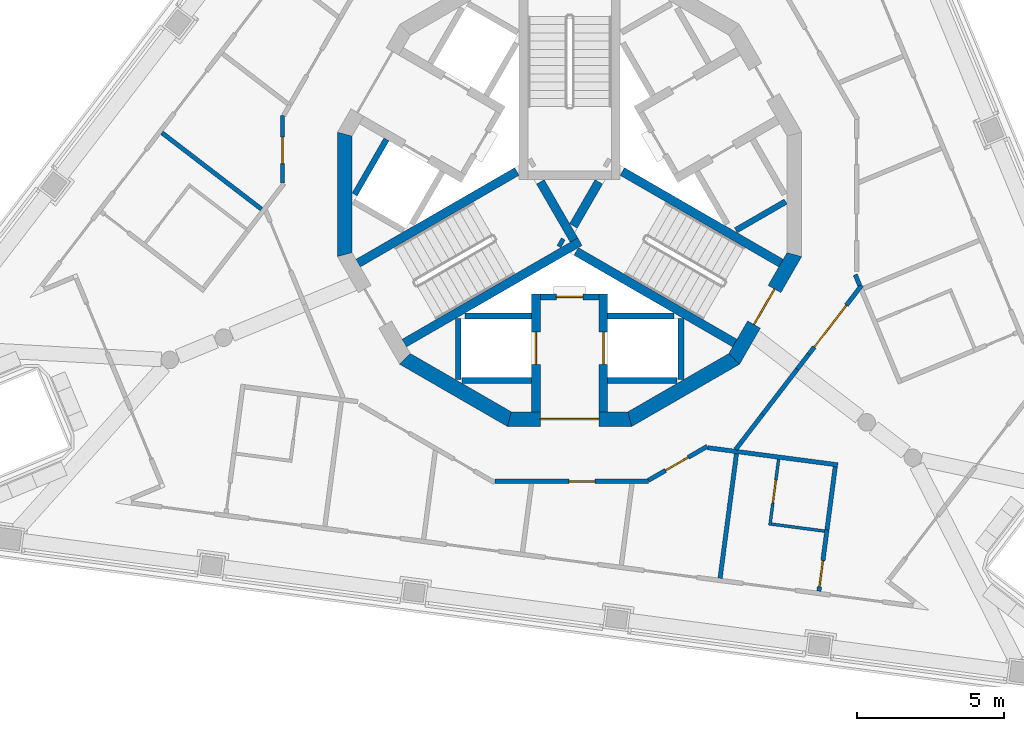
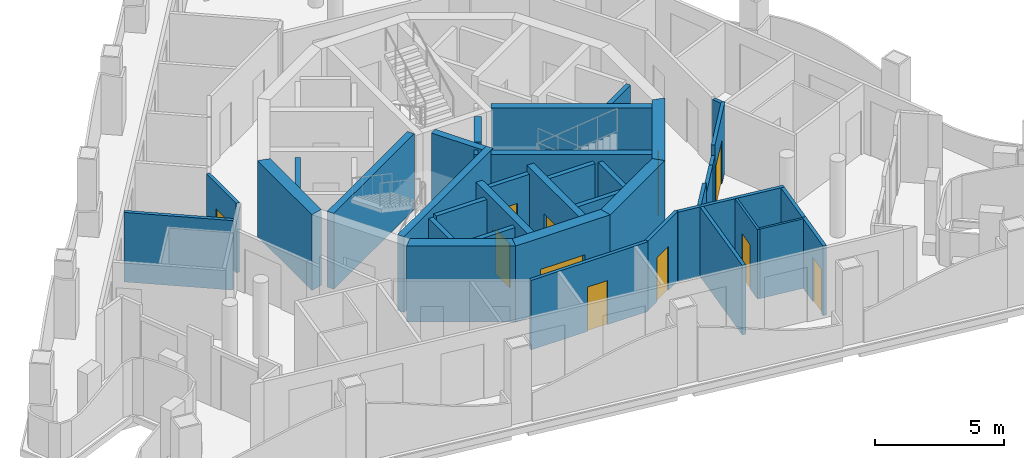
# One storey, part 3 of 12: 38 walls, 11 doors, 11 openings.
"""IFC4 building model written with IfcOpenShell, lengths in metres."""

import ifcopenshell
import ifcopenshell.guid

model = None  # the IFC model being written
_history = None  # IfcOwnerHistory: only IFC2X3 demands one
_inside = {}  # id of a spatial element -> (the spatial element, [elements in it])
_under = {}  # id of a project, library or spatial element -> (it, [spatial elements below it])
_declared = {}  # id of a project -> (the project, [libraries it declares])
_typed = {}  # id of a type object -> (the type object, [elements of that type])
_made_of = {}  # id of a material, layer set ... -> (it, [elements and type objects made of it])


def new_model(schema):
    """Start an empty IFC model of exactly this schema.

    Asked for "IFC4X3", IfcOpenShell would pick the latest addendum, in which some entities
    have other attributes; the version numbers below select the first issue.
    IFC2X3 requires an IfcOwnerHistory on every rooted entity: one is made here for all.
    """
    global model, _history
    if schema == "IFC4X3":
        model = ifcopenshell.file(schema_version=(4, 3, 0, 0))
    else:
        model = ifcopenshell.file(schema=schema)
    _inside.clear()
    _under.clear()
    _declared.clear()
    _typed.clear()
    _made_of.clear()
    _history = None
    if model.schema == "IFC2X3":
        org = make("IfcOrganization", Name="unknown")
        user = make(
            "IfcPersonAndOrganization",
            ThePerson=make("IfcPerson", FamilyName="unknown"),
            TheOrganization=org,
        )
        app = make(
            "IfcApplication",
            ApplicationDeveloper=org,
            Version="unknown",
            ApplicationFullName="unknown",
            ApplicationIdentifier="unknown",
        )
        _history = make(
            "IfcOwnerHistory",
            OwningUser=user,
            OwningApplication=app,
            ChangeAction="ADDED",
            CreationDate=0,
        )
    return model


def make(cls, **values):
    """One entity of the class cls with the attributes given. An attribute that is None is left unset."""
    return model.create_entity(
        cls, **{name: value for name, value in values.items() if value is not None}
    )


def rooted(cls, **values):
    """An entity with a GlobalId (a new one), such as an element, a storey or a relation."""
    return make(cls, GlobalId=ifcopenshell.guid.new(), OwnerHistory=_history, **values)


def si_unit(unit_type, name, prefix=None):
    """IfcSIUnit, for example si_unit("LENGTHUNIT", "METRE", prefix="MILLI")."""
    return make("IfcSIUnit", UnitType=unit_type, Prefix=prefix, Name=name)


def assignment(units):
    """IfcUnitAssignment: the units of a project."""
    return None if units is None else make("IfcUnitAssignment", Units=units)


def point(xyz):
    """IfcCartesianPoint."""
    return None if xyz is None else make("IfcCartesianPoint", Coordinates=xyz)


def direction(xyz):
    """IfcDirection."""
    return None if xyz is None else make("IfcDirection", DirectionRatios=xyz)


def frame(location, z_axis=None, x_axis=None):
    """IfcAxis2Placement3D, a coordinate frame: its origin and axes. An axis left out is left unset."""
    return make(
        "IfcAxis2Placement3D",
        Location=point(location),
        Axis=direction(z_axis),
        RefDirection=direction(x_axis),
    )


def frame_2d(location, x_axis=None):
    """IfcAxis2Placement2D, a coordinate frame in the plane: its origin and x axis."""
    return make(
        "IfcAxis2Placement2D", Location=point(location), RefDirection=direction(x_axis)
    )


def origin():
    """The frame at (0, 0, 0) with its axes left unset."""
    return frame((0.0, 0.0, 0.0))


def place(relative_to, where):
    """IfcLocalPlacement: puts the frame where relative to a parent placement (None: the world)."""
    return make(
        "IfcLocalPlacement", PlacementRelTo=relative_to, RelativePlacement=where
    )


def context(
    kind, dimensions, precision=None, world=None, true_north=None, identifier=None
):
    """IfcGeometricRepresentationContext, for example the 3D "Model" context."""
    return make(
        "IfcGeometricRepresentationContext",
        ContextIdentifier=identifier,
        ContextType=kind,
        CoordinateSpaceDimension=dimensions,
        Precision=precision,
        WorldCoordinateSystem=world,
        TrueNorth=true_north,
    )


def subcontext(parent, identifier, kind, view, scale=None):
    """IfcGeometricRepresentationSubContext, for example "Body" below "Model"."""
    return make(
        "IfcGeometricRepresentationSubContext",
        ContextIdentifier=identifier,
        ContextType=kind,
        ParentContext=parent,
        TargetScale=scale,
        TargetView=view,
    )


def project(units=None, contexts=None):
    """IfcProject with its units and contexts."""
    return rooted(
        "IfcProject",
        Name="project",
        RepresentationContexts=contexts,
        UnitsInContext=assignment(units),
    )


def spatial(cls, under=None, at=None, **own):
    """A site, building, storey or space (cls), placed at a placement, below another one or the project."""
    s = rooted(cls, ObjectPlacement=at, **own)
    if under is not None:
        _under.setdefault(under.id(), (under, []))[1].append(s)
    return s


def polyline(points):
    """IfcPolyline through the points."""
    return make("IfcPolyline", Points=[point(p) for p in points])


def profile(cls, at=None, kind="AREA", **sizes):
    """A parametric profile (cls). Its sizes go by their IFC names, for example OverallWidth=200.0."""
    return make(cls, ProfileType=kind, Position=at, **sizes)


def rectangle(**sizes):
    """IfcRectangleProfileDef."""
    return profile("IfcRectangleProfileDef", **sizes)


def outline(outer, holes=None, kind="AREA"):
    """IfcArbitraryClosedProfileDef: a profile drawn as a closed curve; with holes, ...WithVoids."""
    if holes is None:
        return make("IfcArbitraryClosedProfileDef", ProfileType=kind, OuterCurve=outer)
    return make(
        "IfcArbitraryProfileDefWithVoids",
        ProfileType=kind,
        OuterCurve=outer,
        InnerCurves=holes,
    )


def extrude(swept, where, along, depth):
    """IfcExtrudedAreaSolid: the profile swept, set in the frame where, extruded along a direction by depth."""
    return make(
        "IfcExtrudedAreaSolid",
        SweptArea=swept,
        Position=where,
        ExtrudedDirection=direction(along),
        Depth=depth,
    )


def shape(context_of_items, identifier, shape_type, items):
    """IfcShapeRepresentation: the items that make up one representation, for example the "Body"."""
    return make(
        "IfcShapeRepresentation",
        ContextOfItems=context_of_items,
        RepresentationIdentifier=identifier,
        RepresentationType=shape_type,
        Items=items,
    )


def material(Name=None, Category=None):
    """IfcMaterial."""
    return make("IfcMaterial", Name=Name, Category=Category)


def layer(
    of_material, thickness, ventilated=None, Name=None, Category=None, Priority=None
):
    """IfcMaterialLayer: one layer of a wall or slab, of a material (None: an air gap)."""
    return make(
        "IfcMaterialLayer",
        Material=of_material,
        LayerThickness=thickness,
        IsVentilated=ventilated,
        Name=Name,
        Category=Category,
        Priority=Priority,
    )


def layer_set(layers, Name=None):
    """IfcMaterialLayerSet."""
    return make("IfcMaterialLayerSet", MaterialLayers=layers, LayerSetName=Name)


def made_of(thing, what):
    """Note that an element or type object is made of a material, layer set ...; save() writes the relation."""
    if what is not None:
        _made_of.setdefault(what.id(), (what, []))[1].append(thing)
    return thing


def type_object(cls, material=None, **own):
    """A type object (cls), such as IfcWallType, which elements share."""
    return made_of(rooted(cls, **own), material)


def element(
    cls,
    number,
    at=None,
    inside=None,
    cuts=None,
    type_object=None,
    material=None,
    context=None,
    identifier="Body",
    shape_type=None,
    held_by="IfcProductDefinitionShape",
    body=None,
    shapes=None,
    **own,
):
    """One element of the class cls, such as IfcWall. Its Tag is "e" and its number.

    at: its placement. inside: the storey or other place that contains it. cuts: it is an
    opening in that element (IfcRelVoidsElement). A single representation is given by context,
    identifier, shape_type and body (its items); several are given by shapes. held_by: the class
    of the entity that holds the representations. save() writes the other relations.
    """
    e = rooted(cls, Tag="e%d" % number, ObjectPlacement=at, **own)
    if body is not None:
        shapes = [shape(context, identifier, shape_type, body)]
    if shapes is not None:
        e.Representation = make(held_by, Representations=shapes)
    if inside is not None:
        _inside.setdefault(inside.id(), (inside, []))[1].append(e)
    if cuts is not None:
        rooted(
            "IfcRelVoidsElement", RelatingBuildingElement=cuts, RelatedOpeningElement=e
        )
    if type_object is not None:
        _typed.setdefault(type_object.id(), (type_object, []))[1].append(e)
    return made_of(e, material)


def fill(opening, filler):
    """IfcRelFillsElement: the door or window that sits in an opening."""
    return rooted(
        "IfcRelFillsElement",
        RelatingOpeningElement=opening,
        RelatedBuildingElement=filler,
    )


def aggregate(whole, parts):
    """IfcRelAggregates: a whole, such as a stair, and the parts it consists of."""
    return rooted("IfcRelAggregates", RelatingObject=whole, RelatedObjects=parts)


def save(model, path):
    """Write the relations noted so far, then the file.

    IfcRelAggregates (storeys below a building ...), IfcRelContainedInSpatialStructure (elements
    in a storey), IfcRelDefinesByType, IfcRelAssociatesMaterial and IfcRelDeclares: one each for
    every whole, place, type object, material and project.
    """
    for whole, parts in _under.values():
        aggregate(whole, parts)
    for where, things in _inside.values():
        rooted(
            "IfcRelContainedInSpatialStructure",
            RelatedElements=things,
            RelatingStructure=where,
        )
    for kind, things in _typed.values():
        rooted("IfcRelDefinesByType", RelatedObjects=things, RelatingType=kind)
    for what, things in _made_of.values():
        rooted("IfcRelAssociatesMaterial", RelatedObjects=things, RelatingMaterial=what)
    for by, libraries in _declared.values():
        rooted("IfcRelDeclares", RelatingContext=by, RelatedDefinitions=libraries)
    model.write(path)


model = new_model("IFC4")

# Units and contexts
model_context = context("Model", 3, precision=1e-05, world=origin(), true_north=direction((0.0, 1.0)))
body_context = subcontext(model_context, "Body", "Model", "MODEL_VIEW")
ifc_project = project(units=[si_unit("LENGTHUNIT", "METRE"), si_unit("AREAUNIT", "SQUARE_METRE"), si_unit("VOLUMEUNIT", "CUBIC_METRE"), si_unit("PLANEANGLEUNIT", "RADIAN"), si_unit("MASSUNIT", "GRAM", prefix="KILO")], contexts=[model_context])

# Site, building, storey
site_placement = place(None, origin())
site = spatial("IfcSite", under=ifc_project, at=site_placement, CompositionType="ELEMENT")
building_placement = place(site_placement, origin())
building = spatial("IfcBuilding", under=site, at=building_placement, Name="Trine Commons Tower", CompositionType="ELEMENT")
storey_placement = place(building_placement, frame((0.0, 0.0, 275.39990234375)))
storey = spatial("IfcBuildingStorey", under=building, at=storey_placement, Name="L72", CompositionType="ELEMENT", Elevation=275.39990234375)

# Wall, opening, door
ifc_material_1 = material(Name="Fire-rated gypsum shaft wall system")
ifc_layer_1 = layer(ifc_material_1, 0.199951171875)
ifc_layer_set_1 = layer_set([ifc_layer_1], Name="Fire-rated gypsum shaft wall system")
wall_type_1 = type_object("IfcWallType", Name="Lobby end wall 200 mm, EI 120", PredefinedType="PARTITIONING", material=ifc_layer_set_1)
wall_1_placement = place(storey_placement, frame((79.0, 59.0, 0.0), z_axis=(0.0, 0.0, 1.0), x_axis=(1.0, 0.0, 0.0)))
wall_1 = element("IfcWall", 1, at=wall_1_placement, inside=storey, type_object=wall_type_1, Name="Lobby end wall L72", PredefinedType="PARTITIONING", context=body_context, shape_type="SweptSolid", body=[
    extrude(rectangle(XDim=2.0, YDim=0.199951171875, at=frame_2d((1.0, 0.0))), origin(), (0.0, 0.0, 1.0), 3.300048828125),
])
opening_1_placement = place(wall_1_placement, frame((0.550048828125, 0.0, 0.0)))
opening_1 = element("IfcOpeningElement", 2, at=opening_1_placement, cuts=wall_1, Name="Opening K18.09", PredefinedType="OPENING", context=body_context, shape_type="SweptSolid", body=[
    extrude(rectangle(XDim=0.89990234375, YDim=2.10009765625, at=frame_2d((0.449951171875, 1.050048828125))), frame((0.0, 0.10986328125, 0.0), z_axis=(0.0, -1.0, 0.0), x_axis=(1.0, 0.0, 0.0)), (0.0, 0.0, 1.0), 0.219970703125),
])
ifc_material_2 = material(Name="Steel door leaf, fire-rated", Category="steel")
door_type_1 = type_object("IfcDoorType", Name="Riser access door, single leaf 900 x 2100, FD60", OperationType="SINGLE_SWING_LEFT", PredefinedType="DOOR", material=ifc_material_2)
door_1_placement = place(opening_1_placement, frame((0.89990234375, 0.0, 0.0), z_axis=(0.0, 0.0, 1.0), x_axis=(-1.0, 0.0, 0.0)))
door_1 = element("IfcDoor", 3, at=door_1_placement, inside=storey, type_object=door_type_1, Name="Riser door, Communications riser L72", OperationType="SINGLE_SWING_RIGHT", OverallHeight=2.10009765625, OverallWidth=0.89990234375, PredefinedType="DOOR", context=body_context, shape_type="SweptSolid", body=[
    extrude(rectangle(XDim=0.89990234375, YDim=2.10009765625, at=frame_2d((0.449951171875, 1.050048828125))), frame((0.0, 0.02490234375, 0.0), z_axis=(0.0, -1.0, 0.0), x_axis=(1.0, 0.0, 0.0)), (0.0, 0.0, 1.0), 0.050048828125),
])
fill(opening_1, door_1)

ifc_material_3 = material(Name="Concrete C50/60", Category="concrete")
ifc_layer_2 = layer(ifc_material_3, 0.300048828125)
ifc_layer_set_2 = layer_set([ifc_layer_2], Name="Concrete C50/60")
wall_type_2 = type_object("IfcWallType", Name="RC shear wall 300 mm, C50/60", PredefinedType="SHEAR", material=ifc_layer_set_2)
wall_2_placement = place(storey_placement, frame((78.85009765625, 59.10009765625, 0.0), z_axis=(0.0, 0.0, 1.0), x_axis=(0.0, -1.0, 0.0)))
wall_2 = element("IfcWall", 4, at=wall_2_placement, inside=storey, type_object=wall_type_2, Name="Core cross wall SWD-03 L72", PredefinedType="SHEAR", context=body_context, shape_type="SweptSolid", body=[
    extrude(rectangle(XDim=4.02099609375, YDim=0.300048828125, at=frame_2d((2.010498046875, 0.0))), origin(), (0.0, 0.0, 1.0), 3.60009765625),
])
opening_2_placement = place(wall_2_placement, frame((1.300048828125, 0.0, 0.0)))
opening_2 = element("IfcOpeningElement", 5, at=opening_2_placement, cuts=wall_2, Name="Opening LD10", PredefinedType="OPENING", context=body_context, shape_type="SweptSolid", body=[
    extrude(rectangle(XDim=1.10009765625, YDim=2.10009765625, at=frame_2d((0.550048828125, 1.050048828125))), frame((0.0, 0.159912109375, 0.0), z_axis=(0.0, -1.0, 0.0), x_axis=(1.0, 0.0, 0.0)), (0.0, 0.0, 1.0), 0.320068359375),
])
ifc_material_4 = material(Name="Stainless steel sliding door leaves", Category="steel")
door_type_2 = type_object("IfcDoorType", Name="Lift landing door, centre-opening sliding 1100 x 2100, FD90", OperationType="DOUBLE_DOOR_SLIDING", PredefinedType="DOOR", material=ifc_material_4)
door_2_placement = place(opening_2_placement, origin())
door_2 = element("IfcDoor", 6, at=door_2_placement, inside=storey, type_object=door_type_2, Name="Lift landing door FF2 L72", OperationType="DOUBLE_DOOR_SLIDING", OverallHeight=2.10009765625, OverallWidth=1.10009765625, PredefinedType="DOOR", context=body_context, shape_type="SweptSolid", body=[
    extrude(rectangle(XDim=1.10009765625, YDim=2.10009765625, at=frame_2d((0.550048828125, 1.050048828125))), frame((0.0, 0.02490234375, 0.0), z_axis=(0.0, -1.0, 0.0), x_axis=(1.0, 0.0, 0.0)), (0.0, 0.0, 1.0), 0.050048828125),
])
fill(opening_2, door_2)

wall_3_placement = place(storey_placement, frame((81.14990234375, 59.10009765625, 0.0), z_axis=(0.0, 0.0, 1.0), x_axis=(0.0, -1.0, 0.0)))
wall_3 = element("IfcWall", 7, at=wall_3_placement, inside=storey, type_object=wall_type_2, Name="Core cross wall SWD-04 L72", PredefinedType="SHEAR", context=body_context, shape_type="SweptSolid", body=[
    extrude(rectangle(XDim=4.02099609375, YDim=0.300048828125, at=frame_2d((2.010498046875, 0.0))), origin(), (0.0, 0.0, 1.0), 3.60009765625),
])
opening_3_placement = place(wall_3_placement, frame((1.300048828125, 0.0, 0.0)))
opening_3 = element("IfcOpeningElement", 8, at=opening_3_placement, cuts=wall_3, Name="Opening LD9", PredefinedType="OPENING", context=body_context, shape_type="SweptSolid", body=[
    extrude(rectangle(XDim=1.10009765625, YDim=2.10009765625, at=frame_2d((0.550048828125, 1.050048828125))), frame((0.0, 0.159912109375, 0.0), z_axis=(0.0, -1.0, 0.0), x_axis=(1.0, 0.0, 0.0)), (0.0, 0.0, 1.0), 0.320068359375),
])
door_3_placement = place(opening_3_placement, origin())
door_3 = element("IfcDoor", 9, at=door_3_placement, inside=storey, type_object=door_type_2, Name="Lift landing door FF1 L72", OperationType="DOUBLE_DOOR_SLIDING", OverallHeight=2.10009765625, OverallWidth=1.10009765625, PredefinedType="DOOR", context=body_context, shape_type="SweptSolid", body=[
    extrude(rectangle(XDim=1.10009765625, YDim=2.10009765625, at=frame_2d((0.550048828125, 1.050048828125))), frame((0.0, 0.02490234375, 0.0), z_axis=(0.0, -1.0, 0.0), x_axis=(1.0, 0.0, 0.0)), (0.0, 0.0, 1.0), 0.050048828125),
])
fill(opening_3, door_3)

# Walls
wall_4_placement = place(storey_placement, frame((78.199951171875, 63.280029296875, 0.0), z_axis=(0.0, 0.0, 1.0), x_axis=(-0.866013897511, -0.50001992892, 0.0)))
element("IfcWall", 10, at=wall_4_placement, inside=storey, type_object=wall_type_2, Name="Core cross wall SWD-07 L72", PredefinedType="SHEAR", context=body_context, shape_type="SweptSolid", body=[
    extrude(rectangle(XDim=6.251708984375, YDim=0.300048828125, at=frame_2d((3.1259765625, 0.0))), origin(), (0.0, 0.0, 1.0), 3.60009765625),
])
wall_5_placement = place(storey_placement, frame((79.0029296875, 62.926025390625, 0.0), z_axis=(0.0, 0.0, 1.0), x_axis=(0.499965247104, -0.866045467449, 0.0)))
element("IfcWall", 11, at=wall_5_placement, inside=storey, type_object=wall_type_2, Name="Core cross wall SWD-10 L72", PredefinedType="SHEAR", context=body_context, shape_type="SweptSolid", body=[
    extrude(rectangle(XDim=2.292236328125, YDim=0.300048828125, at=frame_2d((1.14599609375, 0.0))), origin(), (0.0, 0.0, 1.0), 3.60009765625),
])
wall_6_placement = place(storey_placement, frame((79.64599609375, 60.885986328125, 0.0), z_axis=(0.0, 0.0, 1.0), x_axis=(0.867331893649, -0.497730234424, 0.0)))
element("IfcWall", 12, at=wall_6_placement, inside=storey, type_object=wall_type_2, Name="Core cross wall SWD-11 L72", PredefinedType="SHEAR", context=body_context, shape_type="SweptSolid", body=[
    extrude(rectangle(XDim=0.148681640625, YDim=0.300048828125, at=frame_2d((0.07421875, 0.0))), origin(), (0.0, 0.0, 1.0), 3.60009765625),
])
wall_7_placement = place(storey_placement, frame((80.1298828125, 61.424072265625, 0.0), z_axis=(0.0, 0.0, 1.0), x_axis=(0.500014901547, 0.866016800201, 0.0)))
element("IfcWall", 13, at=wall_7_placement, inside=storey, type_object=wall_type_2, Name="Core cross wall SWD-12 L72", PredefinedType="SHEAR", context=body_context, shape_type="SweptSolid", body=[
    extrude(rectangle(XDim=1.734375, YDim=0.300048828125, at=frame_2d((0.8671875, 0.0))), origin(), (0.0, 0.0, 1.0), 3.60009765625),
])
wall_8_placement = place(storey_placement, frame((80.22509765625, 60.552001953125, 0.0), z_axis=(0.0, 0.0, 1.0), x_axis=(0.866004133274, -0.500036839795, 0.0)))
element("IfcWall", 14, at=wall_8_placement, inside=storey, type_object=wall_type_2, Name="Core cross wall SWD-13 L72", PredefinedType="SHEAR", context=body_context, shape_type="SweptSolid", body=[
    extrude(rectangle(XDim=6.25146484375, YDim=0.300048828125, at=frame_2d((3.125732421875, 0.0))), origin(), (0.0, 0.0, 1.0), 3.60009765625),
])
wall_9_placement = place(storey_placement, frame((80.35400390625, 60.885986328125, 0.0), z_axis=(0.0, 0.0, 1.0), x_axis=(-0.86602871973, -0.49999425657, 0.0)))
element("IfcWall", 15, at=wall_9_placement, inside=storey, type_object=wall_type_2, Name="Core cross wall SWD-14 L72", PredefinedType="SHEAR", context=body_context, shape_type="SweptSolid", body=[
    extrude(rectangle(XDim=6.919921875, YDim=0.300048828125, at=frame_2d((3.4599609375, 0.0))), origin(), (0.0, 0.0, 1.0), 3.60009765625),
])
wall_10_placement = place(storey_placement, frame((81.800048828125, 63.280029296875, 0.0), z_axis=(0.0, 0.0, 1.0), x_axis=(0.866013897511, -0.50001992892, 0.0)))
element("IfcWall", 16, at=wall_10_placement, inside=storey, type_object=wall_type_2, Name="Core cross wall SWD-18 L72", PredefinedType="SHEAR", context=body_context, shape_type="SweptSolid", body=[
    extrude(rectangle(XDim=6.251708984375, YDim=0.300048828125, at=frame_2d((3.1259765625, 0.0))), origin(), (0.0, 0.0, 1.0), 3.60009765625),
])
ifc_layer_3 = layer(ifc_material_3, 0.5)
ifc_layer_set_3 = layer_set([ifc_layer_3], Name="Concrete C50/60")
wall_type_3 = type_object("IfcWallType", Name="RC shear wall 500 mm, C50/60", PredefinedType="SHEAR", material=ifc_layer_set_3)
for number, where, z_axis, x_axis, name in (
    (17, (72.329345703125, 64.622314453125, 0.0), (0.0, 0.0, 1.0), (0.0, -1.0, 0.0), "Core wall CWH-07 L72"),
    (18, (74.32666015625, 56.918212890625, 0.0), (0.0, 0.0, 1.0), (0.866029463428, -0.499992968425, 0.0), "Core wall CWH-09 L72"),
):
    element("IfcWall", number, at=place(storey_placement, frame(where, z_axis=z_axis, x_axis=x_axis)), inside=storey, type_object=wall_type_3, Name=name, PredefinedType="SHEAR", context=body_context, shape_type="SweptSolid", body=[
        extrude(outline(polyline([(0.0, -0.25), (4.24462890625, -0.25), (4.110595703125, 0.25), (0.134033203125, 0.25), (0.0, -0.25)])), origin(), (0.0, 0.0, 1.0), 3.60009765625),
    ])

# Wall, opening, door
wall_11_placement = place(storey_placement, frame((77.877685546875, 54.829345703125, 0.0), z_axis=(0.0, 0.0, 1.0), x_axis=(1.0, 0.0, 0.0)))
wall_11 = element("IfcWall", 19, at=wall_11_placement, inside=storey, type_object=wall_type_3, Name="Core wall CWH-10 L72", PredefinedType="SHEAR", context=body_context, shape_type="SweptSolid", body=[
    extrude(outline(polyline([(0.0, -0.25), (4.24462890625, -0.25), (4.110595703125, 0.25), (0.134033203125, 0.25), (0.0, -0.25)])), origin(), (0.0, 0.0, 1.0), 3.60009765625),
])
opening_4_placement = place(wall_11_placement, frame((1.122314453125, 0.0, 0.0)))
opening_4 = element("IfcOpeningElement", 20, at=opening_4_placement, cuts=wall_11, Name="Opening K18.08", PredefinedType="OPENING", context=body_context, shape_type="SweptSolid", body=[
    extrude(rectangle(XDim=2.0, YDim=2.10009765625, at=frame_2d((1.0, 1.050048828125))), frame((0.0, 0.260009765625, 0.0), z_axis=(0.0, -1.0, 0.0), x_axis=(1.0, 0.0, 0.0)), (0.0, 0.0, 1.0), 0.52001953125),
])
ifc_material_5 = material(Name="Steel door leaves, fire-rated", Category="steel")
door_type_3 = type_object("IfcDoorType", Name="Lobby door, double leaf 2000 x 2100, FD60", OperationType="DOUBLE_DOOR_SINGLE_SWING", PredefinedType="DOOR", material=ifc_material_5)
door_4_placement = place(opening_4_placement, origin())
door_4 = element("IfcDoor", 21, at=door_4_placement, inside=storey, type_object=door_type_3, Name="Lobby door, Service and firefighting lobby L72", OperationType="DOUBLE_DOOR_SINGLE_SWING", OverallHeight=2.10009765625, OverallWidth=2.0, PredefinedType="DOOR", context=body_context, shape_type="SweptSolid", body=[
    extrude(rectangle(XDim=2.0, YDim=2.10009765625, at=frame_2d((1.0, 1.050048828125))), frame((0.0, 0.02490234375, 0.0), z_axis=(0.0, -1.0, 0.0), x_axis=(1.0, 0.0, 0.0)), (0.0, 0.0, 1.0), 0.050048828125),
])
fill(opening_4, door_4)

# Wall
wall_12_placement = place(storey_placement, frame((81.997314453125, 54.7958984375, 0.0), z_axis=(0.0, 0.0, 1.0), x_axis=(0.866029463428, 0.499992968425, 0.0)))
element("IfcWall", 22, at=wall_12_placement, inside=storey, type_object=wall_type_3, Name="Core wall CWH-11 L72", PredefinedType="SHEAR", context=body_context, shape_type="SweptSolid", body=[
    extrude(outline(polyline([(0.0, -0.25), (4.24462890625, -0.25), (4.110595703125, 0.25), (0.134033203125, 0.25), (0.0, -0.25)])), origin(), (0.0, 0.0, 1.0), 3.60009765625),
])

# Wall, opening, door
wall_13_placement = place(storey_placement, frame((85.581787109375, 56.82666015625, 0.0), z_axis=(0.0, 0.0, 1.0), x_axis=(0.499992968425, 0.866029463428, 0.0)))
wall_13 = element("IfcWall", 23, at=wall_13_placement, inside=storey, type_object=wall_type_3, Name="Core wall CWH-12 L72", PredefinedType="SHEAR", context=body_context, shape_type="SweptSolid", body=[
    extrude(outline(polyline([(0.0, -0.25), (4.24462890625, -0.25), (4.110595703125, 0.25), (0.134033203125, 0.25), (0.0, -0.25)])), origin(), (0.0, 0.0, 1.0), 3.60009765625),
])
opening_5_placement = place(wall_13_placement, frame((1.42236328125, 0.0, 0.0)))
opening_5 = element("IfcOpeningElement", 24, at=opening_5_placement, cuts=wall_13, Name="Opening K18.03", PredefinedType="OPENING", context=body_context, shape_type="SweptSolid", body=[
    extrude(rectangle(XDim=1.39990234375, YDim=2.10009765625, at=frame_2d((0.699951171875, 1.050048828125))), frame((0.0, 0.260009765625, 0.0), z_axis=(0.0, -1.0, 0.0), x_axis=(1.0, 0.0, 0.0)), (0.0, 0.0, 1.0), 0.52001953125),
])
door_type_4 = type_object("IfcDoorType", Name="Stair door, double leaf 1400 x 2100, FD90", OperationType="DOUBLE_DOOR_SINGLE_SWING", PredefinedType="DOOR", material=ifc_material_5)
door_5_placement = place(opening_5_placement, origin())
door_5 = element("IfcDoor", 25, at=door_5_placement, inside=storey, type_object=door_type_4, Name="Stair door to Exit stair ST3D L72", OperationType="DOUBLE_DOOR_SINGLE_SWING", OverallHeight=2.10009765625, OverallWidth=1.39990234375, PredefinedType="DOOR", context=body_context, shape_type="SweptSolid", body=[
    extrude(rectangle(XDim=1.39990234375, YDim=2.10009765625, at=frame_2d((0.699951171875, 1.050048828125))), frame((0.0, 0.02490234375, 0.0), z_axis=(0.0, -1.0, 0.0), x_axis=(1.0, 0.0, 0.0)), (0.0, 0.0, 1.0), 0.050048828125),
])
fill(opening_5, door_5)

# Walls
ifc_layer_4 = layer(ifc_material_1, 0.199951171875)
ifc_layer_set_4 = layer_set([ifc_layer_4], Name="Fire-rated gypsum shaft wall system")
wall_type_4 = type_object("IfcWallType", Name="Shaft wall 200 mm, EI 120", PredefinedType="PARTITIONING", material=ifc_layer_set_4)
wall_14_placement = place(storey_placement, frame((73.7509765625, 64.3759765625, 0.0), z_axis=(0.0, 0.0, 1.0), x_axis=(-0.499865263774, -0.866103179807, 0.0)))
element("IfcWall", 26, at=wall_14_placement, inside=storey, type_object=wall_type_4, Name="Shaft wall L72", PredefinedType="PARTITIONING", context=body_context, shape_type="SweptSolid", body=[
    extrude(rectangle(XDim=2.17041015625, YDim=0.199951171875, at=frame_2d((1.085205078125, 0.0))), origin(), (0.0, 0.0, 1.0), 3.300048828125),
])
wall_15_placement = place(storey_placement, frame((76.199951171875, 58.257080078125, 0.0), z_axis=(0.0, 0.0, 1.0), x_axis=(0.0, -1.0, 0.0)))
element("IfcWall", 27, at=wall_15_placement, inside=storey, type_object=wall_type_4, Name="Shaft wall L72", PredefinedType="PARTITIONING", context=body_context, shape_type="SweptSolid", body=[
    extrude(rectangle(XDim=2.073974609375, YDim=0.199951171875, at=frame_2d((1.037109375, 0.0))), origin(), (0.0, 0.0, 1.0), 3.300048828125),
])
wall_16_placement = place(storey_placement, frame((78.699951171875, 56.14990234375, 0.0), z_axis=(0.0, 0.0, 1.0), x_axis=(-1.0, 0.0, 0.0)))
element("IfcWall", 28, at=wall_16_placement, inside=storey, type_object=wall_type_4, Name="Shaft wall L72", PredefinedType="PARTITIONING", context=body_context, shape_type="SweptSolid", body=[
    extrude(rectangle(XDim=2.368896484375, YDim=0.199951171875, at=frame_2d((1.1845703125, 0.0))), origin(), (0.0, 0.0, 1.0), 3.300048828125),
])
wall_17_placement = place(storey_placement, frame((78.699951171875, 58.35009765625, 0.0), z_axis=(0.0, 0.0, 1.0), x_axis=(-1.0, 0.0, 0.0)))
element("IfcWall", 29, at=wall_17_placement, inside=storey, type_object=wall_type_4, Name="Shaft wall L72", PredefinedType="PARTITIONING", context=body_context, shape_type="SweptSolid", body=[
    extrude(rectangle(XDim=2.264892578125, YDim=0.199951171875, at=frame_2d((1.13232421875, 0.0))), origin(), (0.0, 0.0, 1.0), 3.300048828125),
])
wall_18_placement = place(storey_placement, frame((81.300048828125, 56.14990234375, 0.0), z_axis=(0.0, 0.0, 1.0), x_axis=(1.0, 0.0, 0.0)))
element("IfcWall", 30, at=wall_18_placement, inside=storey, type_object=wall_type_4, Name="Shaft wall L72", PredefinedType="PARTITIONING", context=body_context, shape_type="SweptSolid", body=[
    extrude(rectangle(XDim=2.368896484375, YDim=0.199951171875, at=frame_2d((1.1845703125, 0.0))), origin(), (0.0, 0.0, 1.0), 3.300048828125),
])
wall_19_placement = place(storey_placement, frame((81.300048828125, 58.35009765625, 0.0), z_axis=(0.0, 0.0, 1.0), x_axis=(1.0, 0.0, 0.0)))
element("IfcWall", 31, at=wall_19_placement, inside=storey, type_object=wall_type_4, Name="Shaft wall L72", PredefinedType="PARTITIONING", context=body_context, shape_type="SweptSolid", body=[
    extrude(rectangle(XDim=2.264892578125, YDim=0.199951171875, at=frame_2d((1.13232421875, 0.0))), origin(), (0.0, 0.0, 1.0), 3.300048828125),
])
wall_20_placement = place(storey_placement, frame((83.800048828125, 58.257080078125, 0.0), z_axis=(0.0, 0.0, 1.0), x_axis=(0.0, -1.0, 0.0)))
element("IfcWall", 32, at=wall_20_placement, inside=storey, type_object=wall_type_4, Name="Shaft wall L72", PredefinedType="PARTITIONING", context=body_context, shape_type="SweptSolid", body=[
    extrude(rectangle(XDim=2.073974609375, YDim=0.199951171875, at=frame_2d((1.037109375, 0.0))), origin(), (0.0, 0.0, 1.0), 3.300048828125),
])
wall_21_placement = place(storey_placement, frame((85.675048828125, 61.27294921875, 0.0), z_axis=(0.0, 0.0, 1.0), x_axis=(0.86585547495, 0.500294209939, 0.0)))
element("IfcWall", 33, at=wall_21_placement, inside=storey, type_object=wall_type_4, Name="Shaft wall L72", PredefinedType="PARTITIONING", context=body_context, shape_type="SweptSolid", body=[
    extrude(rectangle(XDim=1.958740234375, YDim=0.199951171875, at=frame_2d((0.9794921875, 0.0))), origin(), (0.0, 0.0, 1.0), 3.300048828125),
])
ifc_material_6 = material(Name="Gypsum plasterboard on steel stud", Category="steel")
ifc_layer_5 = layer(ifc_material_6, 0.14990234375)
ifc_layer_set_5 = layer_set([ifc_layer_5], Name="Gypsum plasterboard on steel stud")
wall_type_5 = type_object("IfcWallType", Name="Unit and corridor wall 150 mm, EI 60", PredefinedType="PARTITIONING", material=ifc_layer_set_5)
wall_22_placement = place(storey_placement, frame((66.087646484375, 64.6025390625, 0.0), z_axis=(0.0, 0.0, 1.0), x_axis=(0.793347717383, -0.608768756855, 0.0)))
element("IfcWall", 34, at=wall_22_placement, inside=storey, type_object=wall_type_5, Name="Partition 003", PredefinedType="PARTITIONING", context=body_context, shape_type="SweptSolid", body=[
    extrude(rectangle(XDim=4.285400390625, YDim=0.14990234375, at=frame_2d((2.142578125, 0.0))), origin(), (0.0, 0.0, 1.0), 3.300048828125),
])

# Wall, opening, door
wall_23_placement = place(storey_placement, frame((70.2041015625, 62.8798828125, 0.0), z_axis=(0.0, 0.0, 1.0), x_axis=(0.0, 1.0, 0.0)))
wall_23 = element("IfcWall", 35, at=wall_23_placement, inside=storey, type_object=wall_type_5, Name="Partition 014", PredefinedType="PARTITIONING", context=body_context, shape_type="SweptSolid", body=[
    extrude(rectangle(XDim=2.320068359375, YDim=0.14990234375, at=frame_2d((1.16015625, 0.0))), origin(), (0.0, 0.0, 1.0), 3.300048828125),
])
opening_6_placement = place(wall_23_placement, frame((0.672607421875, 0.0, 0.0)))
opening_6 = element("IfcOpeningElement", 36, at=opening_6_placement, cuts=wall_23, Name="Opening D-8A05", PredefinedType="OPENING", context=body_context, shape_type="SweptSolid", body=[
    extrude(rectangle(XDim=0.89990234375, YDim=2.10009765625, at=frame_2d((0.449951171875, 1.050048828125))), frame((0.0, 0.0849609375, 0.0), z_axis=(0.0, -1.0, 0.0), x_axis=(1.0, 0.0, 0.0)), (0.0, 0.0, 1.0), 0.169921875),
])
ifc_material_7 = material(Name="Timber fire door set", Category="wood")
door_type_5 = type_object("IfcDoorType", Name="Service door 900 x 2100, FD30S", OperationType="NOTDEFINED", PredefinedType="DOOR", material=ifc_material_7)
door_6_placement = place(opening_6_placement, origin())
door_6 = element("IfcDoor", 37, at=door_6_placement, inside=storey, type_object=door_type_5, Name="Door D-8A05", OperationType="SINGLE_SWING_LEFT", OverallHeight=2.10009765625, OverallWidth=0.89990234375, PredefinedType="DOOR", context=body_context, shape_type="SweptSolid", body=[
    extrude(rectangle(XDim=0.89990234375, YDim=2.10009765625, at=frame_2d((0.449951171875, 1.050048828125))), frame((0.0, 0.02490234375, 0.0), z_axis=(0.0, -1.0, 0.0), x_axis=(1.0, 0.0, 0.0)), (0.0, 0.0, 1.0), 0.050048828125),
])
fill(opening_6, door_6)

wall_24_placement = place(storey_placement, frame((77.449951171875, 52.7041015625, 0.0), z_axis=(0.0, 0.0, 1.0), x_axis=(1.0, 0.0, 0.0)))
wall_24 = element("IfcWall", 38, at=wall_24_placement, inside=storey, type_object=wall_type_5, Name="Partition 027", PredefinedType="PARTITIONING", context=body_context, shape_type="SweptSolid", body=[
    extrude(rectangle(XDim=5.25, YDim=0.14990234375, at=frame_2d((2.625, 0.0))), origin(), (0.0, 0.0, 1.0), 3.300048828125),
])
opening_7_placement = place(wall_24_placement, frame((2.52490234375, 0.0, 0.0)))
opening_7 = element("IfcOpeningElement", 39, at=opening_7_placement, cuts=wall_24, Name="Opening D-8A16", PredefinedType="OPENING", context=body_context, shape_type="SweptSolid", body=[
    extrude(rectangle(XDim=0.89990234375, YDim=2.10009765625, at=frame_2d((0.449951171875, 1.050048828125))), frame((0.0, 0.0849609375, 0.0), z_axis=(0.0, -1.0, 0.0), x_axis=(1.0, 0.0, 0.0)), (0.0, 0.0, 1.0), 0.169921875),
])
door_7_placement = place(opening_7_placement, frame((0.89990234375, 0.0, 0.0), z_axis=(0.0, 0.0, 1.0), x_axis=(-1.0, 0.0, 0.0)))
door_7 = element("IfcDoor", 40, at=door_7_placement, inside=storey, type_object=door_type_5, Name="Door D-8A16", OperationType="SINGLE_SWING_LEFT", OverallHeight=2.10009765625, OverallWidth=0.89990234375, PredefinedType="DOOR", context=body_context, shape_type="SweptSolid", body=[
    extrude(rectangle(XDim=0.89990234375, YDim=2.10009765625, at=frame_2d((0.449951171875, 1.050048828125))), frame((0.0, 0.02490234375, 0.0), z_axis=(0.0, -1.0, 0.0), x_axis=(1.0, 0.0, 0.0)), (0.0, 0.0, 1.0), 0.050048828125),
])
fill(opening_7, door_7)

wall_25_placement = place(storey_placement, frame((82.68994140625, 52.741455078125, 0.0), z_axis=(0.0, 0.0, 1.0), x_axis=(0.865980532278, 0.500077711676, 0.0)))
wall_25 = element("IfcWall", 41, at=wall_25_placement, inside=storey, type_object=wall_type_5, Name="Partition 032", PredefinedType="PARTITIONING", context=body_context, shape_type="SweptSolid", body=[
    extrude(rectangle(XDim=2.320068359375, YDim=0.14990234375, at=frame_2d((1.16015625, 0.0))), origin(), (0.0, 0.0, 1.0), 3.300048828125),
])
opening_8_placement = place(wall_25_placement, frame((0.672607421875, 0.0, 0.0)))
opening_8 = element("IfcOpeningElement", 42, at=opening_8_placement, cuts=wall_25, Name="Opening D-8A15", PredefinedType="OPENING", context=body_context, shape_type="SweptSolid", body=[
    extrude(rectangle(XDim=0.89990234375, YDim=2.10009765625, at=frame_2d((0.449951171875, 1.050048828125))), frame((0.0, 0.0849609375, 0.0), z_axis=(0.0, -1.0, 0.0), x_axis=(1.0, 0.0, 0.0)), (0.0, 0.0, 1.0), 0.169921875),
])
door_8_placement = place(opening_8_placement, frame((0.89990234375, 0.0, 0.0), z_axis=(0.0, 0.0, 1.0), x_axis=(-1.0, 0.0, 0.0)))
door_8 = element("IfcDoor", 43, at=door_8_placement, inside=storey, type_object=door_type_5, Name="Door D-8A15", OperationType="SINGLE_SWING_RIGHT", OverallHeight=2.10009765625, OverallWidth=0.89990234375, PredefinedType="DOOR", context=body_context, shape_type="SweptSolid", body=[
    extrude(rectangle(XDim=0.89990234375, YDim=2.10009765625, at=frame_2d((0.449951171875, 1.050048828125))), frame((0.0, 0.02490234375, 0.0), z_axis=(0.0, -1.0, 0.0), x_axis=(1.0, 0.0, 0.0)), (0.0, 0.0, 1.0), 0.050048828125),
])
fill(opening_8, door_8)

# Walls
wall_26_placement = place(storey_placement, frame((84.70849609375, 53.854248046875, 0.0), z_axis=(0.0, 0.0, 1.0), x_axis=(0.991439822363, -0.130564461602, 0.0)))
element("IfcWall", 44, at=wall_26_placement, inside=storey, type_object=wall_type_5, Name="Partition 033", PredefinedType="PARTITIONING", context=body_context, shape_type="SweptSolid", body=[
    extrude(rectangle(XDim=4.480224609375, YDim=0.14990234375, at=frame_2d((2.240234375, 0.0))), origin(), (0.0, 0.0, 1.0), 3.300048828125),
])
wall_27_placement = place(storey_placement, frame((85.13525390625, 49.400634765625, 0.0), z_axis=(0.0, 0.0, 1.0), x_axis=(0.130708020628, 0.991420906247, 0.0)))
element("IfcWall", 45, at=wall_27_placement, inside=storey, type_object=wall_type_5, Name="Partition 036", PredefinedType="PARTITIONING", context=body_context, shape_type="SweptSolid", body=[
    extrude(rectangle(XDim=4.284912109375, YDim=0.14990234375, at=frame_2d((2.142578125, 0.0))), origin(), (0.0, 0.0, 1.0), 3.300048828125),
])
wall_28_placement = place(storey_placement, frame((85.66650390625, 53.79345703125, 0.0), z_axis=(0.0, 0.0, 1.0), x_axis=(0.608584360589, 0.79348917828, 0.0)))
element("IfcWall", 46, at=wall_28_placement, inside=storey, type_object=wall_type_5, Name="Partition 038", PredefinedType="PARTITIONING", context=body_context, shape_type="SweptSolid", body=[
    extrude(rectangle(XDim=1.50927734375, YDim=0.14990234375, at=frame_2d((0.754638671875, 0.0))), origin(), (0.0, 0.0, 1.0), 3.300048828125),
])
wall_29_placement = place(storey_placement, frame((86.5849609375, 54.990966796875, 0.0), z_axis=(0.0, 0.0, 1.0), x_axis=(0.608644571119, 0.793442994832, 0.0)))
element("IfcWall", 47, at=wall_29_placement, inside=storey, type_object=wall_type_5, Name="Partition 039", PredefinedType="PARTITIONING", context=body_context, shape_type="SweptSolid", body=[
    extrude(rectangle(XDim=1.94873046875, YDim=0.14990234375, at=frame_2d((0.974365234375, 0.0))), origin(), (0.0, 0.0, 1.0), 2.800048828125),
])
wall_30_placement = place(storey_placement, frame((87.77099609375, 56.537109375, 0.0), z_axis=(0.0, 0.0, 1.0), x_axis=(0.60945333551, 0.792821942075, 0.0)))
element("IfcWall", 48, at=wall_30_placement, inside=storey, type_object=wall_type_5, Name="Partition 044", PredefinedType="PARTITIONING", context=body_context, shape_type="SweptSolid", body=[
    extrude(rectangle(XDim=0.641845703125, YDim=0.14990234375, at=frame_2d((0.32080078125, 0.0))), origin(), (0.0, 0.0, 1.0), 2.800048828125),
])

# Wall, opening, door
wall_31_placement = place(storey_placement, frame((88.1630859375, 57.047119140625, 0.0), z_axis=(0.0, 0.0, 1.0), x_axis=(0.608858566232, 0.793278794829, 0.0)))
wall_31 = element("IfcWall", 49, at=wall_31_placement, inside=storey, type_object=wall_type_5, Name="Partition 045", PredefinedType="PARTITIONING", context=body_context, shape_type="SweptSolid", body=[
    extrude(rectangle(XDim=2.964111328125, YDim=0.14990234375, at=frame_2d((1.48193359375, 0.0))), origin(), (0.0, 0.0, 1.0), 3.300048828125),
])
opening_9_placement = place(wall_31_placement, frame((0.307861328125, 0.0, 0.0)))
opening_9 = element("IfcOpeningElement", 50, at=opening_9_placement, cuts=wall_31, Name="Opening D-8A02", PredefinedType="OPENING", context=body_context, shape_type="SweptSolid", body=[
    extrude(rectangle(XDim=1.800048828125, YDim=2.10009765625, at=frame_2d((0.89990234375, 1.050048828125))), frame((0.0, 0.0849609375, 0.0), z_axis=(0.0, -1.0, 0.0), x_axis=(1.0, 0.0, 0.0)), (0.0, 0.0, 1.0), 0.169921875),
])
door_type_6 = type_object("IfcDoorType", Name="Cluster entrance door 1800 x 2100, double leaf, FD30S", OperationType="DOUBLE_DOOR_DOUBLE_SWING", PredefinedType="DOOR", material=ifc_material_7)
door_9_placement = place(opening_9_placement, frame((1.800048828125, 0.0, 0.0), z_axis=(0.0, 0.0, 1.0), x_axis=(-1.0, 0.0, 0.0)))
door_9 = element("IfcDoor", 51, at=door_9_placement, inside=storey, type_object=door_type_6, Name="Door D-8A02", OperationType="DOUBLE_DOOR_DOUBLE_SWING", OverallHeight=2.10009765625, OverallWidth=1.800048828125, PredefinedType="DOOR", context=body_context, shape_type="SweptSolid", body=[
    extrude(rectangle(XDim=1.800048828125, YDim=2.10009765625, at=frame_2d((0.89990234375, 1.050048828125))), frame((0.0, 0.02490234375, 0.0), z_axis=(0.0, -1.0, 0.0), x_axis=(1.0, 0.0, 0.0)), (0.0, 0.0, 1.0), 0.050048828125),
])
fill(opening_9, door_9)

wall_32_placement = place(storey_placement, frame((88.507080078125, 48.956787109375, 0.0), z_axis=(0.0, 0.0, 1.0), x_axis=(0.130741320537, 0.991416515449, 0.0)))
wall_32 = element("IfcWall", 52, at=wall_32_placement, inside=storey, type_object=wall_type_5, Name="Partition 046", PredefinedType="PARTITIONING", context=body_context, shape_type="SweptSolid", body=[
    extrude(rectangle(XDim=2.11376953125, YDim=0.14990234375, at=frame_2d((1.056884765625, 0.0))), origin(), (0.0, 0.0, 1.0), 3.300048828125),
])
opening_10_placement = place(wall_32_placement, frame((0.14990234375, 0.0, 0.0)))
opening_10 = element("IfcOpeningElement", 53, at=opening_10_placement, cuts=wall_32, Name="Opening D-8A14", PredefinedType="OPENING", context=body_context, shape_type="SweptSolid", body=[
    extrude(rectangle(XDim=0.89990234375, YDim=2.10009765625, at=frame_2d((0.449951171875, 1.050048828125))), frame((0.0, 0.0849609375, 0.0), z_axis=(0.0, -1.0, 0.0), x_axis=(1.0, 0.0, 0.0)), (0.0, 0.0, 1.0), 0.169921875),
])
door_type_7 = type_object("IfcDoorType", Name="Bedroom door 900 x 2100, FD30S", OperationType="NOTDEFINED", PredefinedType="DOOR", material=ifc_material_7)
door_10_placement = place(opening_10_placement, origin())
door_10 = element("IfcDoor", 54, at=door_10_placement, inside=storey, type_object=door_type_7, Name="Door D-8A14", OperationType="SINGLE_SWING_LEFT", OverallHeight=2.10009765625, OverallWidth=0.89990234375, PredefinedType="DOOR", context=body_context, shape_type="SweptSolid", body=[
    extrude(rectangle(XDim=0.89990234375, YDim=2.10009765625, at=frame_2d((0.449951171875, 1.050048828125))), frame((0.0, 0.02490234375, 0.0), z_axis=(0.0, -1.0, 0.0), x_axis=(1.0, 0.0, 0.0)), (0.0, 0.0, 1.0), 0.050048828125),
])
fill(opening_10, door_10)

# Walls
wall_33_placement = place(storey_placement, frame((88.77587890625, 50.9951171875, 0.0), z_axis=(0.0, 0.0, 1.0), x_axis=(0.130261799361, 0.991479633491, 0.0)))
element("IfcWall", 55, at=wall_33_placement, inside=storey, type_object=wall_type_5, Name="Partition 047", PredefinedType="PARTITIONING", context=body_context, shape_type="SweptSolid", body=[
    extrude(rectangle(XDim=2.228515625, YDim=0.14990234375, at=frame_2d((1.1142578125, 0.0))), origin(), (0.0, 0.0, 1.0), 3.300048828125),
])
wall_34_placement = place(storey_placement, frame((89.747802734375, 59.760498046875, 0.0), z_axis=(0.0, 0.0, 1.0), x_axis=(0.382100188932, -0.924120904221, 0.0)))
element("IfcWall", 56, at=wall_34_placement, inside=storey, type_object=wall_type_5, Name="Partition 049", PredefinedType="PARTITIONING", context=body_context, shape_type="SweptSolid", body=[
    extrude(rectangle(XDim=0.39990234375, YDim=0.14990234375, at=frame_2d((0.199951171875, 0.0))), origin(), (0.0, 0.0, 1.0), 3.300048828125),
])

# Wall, opening, door
ifc_layer_6 = layer(ifc_material_6, 0.10009765625)
ifc_layer_set_6 = layer_set([ifc_layer_6], Name="Gypsum plasterboard on steel stud")
wall_type_6 = type_object("IfcWallType", Name="Unit partition 100 mm, no rating", PredefinedType="PARTITIONING", material=ifc_layer_set_6)
wall_35_placement = place(storey_placement, frame((86.83642578125, 51.204345703125, 0.0), z_axis=(0.0, 0.0, 1.0), x_axis=(0.130504484341, 0.991447719029, 0.0)))
wall_35 = element("IfcWall", 57, at=wall_35_placement, inside=storey, type_object=wall_type_6, Name="Partition 040", PredefinedType="PARTITIONING", context=body_context, shape_type="SweptSolid", body=[
    extrude(rectangle(XDim=2.27490234375, YDim=0.10009765625, at=frame_2d((1.137451171875, 0.0))), origin(), (0.0, 0.0, 1.0), 3.300048828125),
])
opening_11_placement = place(wall_35_placement, frame((0.76220703125, 0.0, 0.0)))
opening_11 = element("IfcOpeningElement", 58, at=opening_11_placement, cuts=wall_35, Name="Opening D-8A22", PredefinedType="OPENING", context=body_context, shape_type="SweptSolid", body=[
    extrude(rectangle(XDim=0.800048828125, YDim=2.10009765625, at=frame_2d((0.39990234375, 1.050048828125))), frame((0.0, 0.06005859375, 0.0), z_axis=(0.0, -1.0, 0.0), x_axis=(1.0, 0.0, 0.0)), (0.0, 0.0, 1.0), 0.1201171875),
])
ifc_material_8 = material(Name="Painted timber", Category="wood")
door_type_8 = type_object("IfcDoorType", Name="Internal door 800 x 2100, NOT RATED", OperationType="NOTDEFINED", PredefinedType="DOOR", material=ifc_material_8)
door_11_placement = place(opening_11_placement, origin())
door_11 = element("IfcDoor", 59, at=door_11_placement, inside=storey, type_object=door_type_8, Name="Door D-8A22", OperationType="SINGLE_SWING_RIGHT", OverallHeight=2.10009765625, OverallWidth=0.800048828125, PredefinedType="DOOR", context=body_context, shape_type="SweptSolid", body=[
    extrude(rectangle(XDim=0.800048828125, YDim=2.10009765625, at=frame_2d((0.39990234375, 1.050048828125))), frame((0.0, 0.02490234375, 0.0), z_axis=(0.0, -1.0, 0.0), x_axis=(1.0, 0.0, 0.0)), (0.0, 0.0, 1.0), 0.050048828125),
])
fill(opening_11, door_11)

# Wall
wall_36_placement = place(storey_placement, frame((86.892578125, 51.24755859375, 0.0), z_axis=(0.0, 0.0, 1.0), x_axis=(0.991402303004, -0.130849048899, 0.0)))
element("IfcWall", 60, at=wall_36_placement, inside=storey, type_object=wall_type_6, Name="Partition 041", PredefinedType="PARTITIONING", context=body_context, shape_type="SweptSolid", body=[
    extrude(rectangle(XDim=1.82470703125, YDim=0.10009765625, at=frame_2d((0.912353515625, 0.0))), origin(), (0.0, 0.0, 1.0), 3.300048828125),
])

save(model, "model.ifc")
